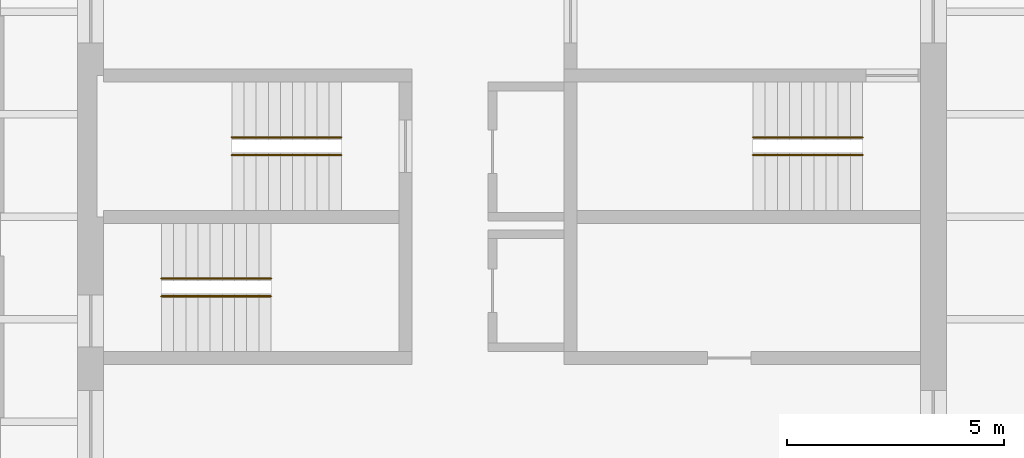
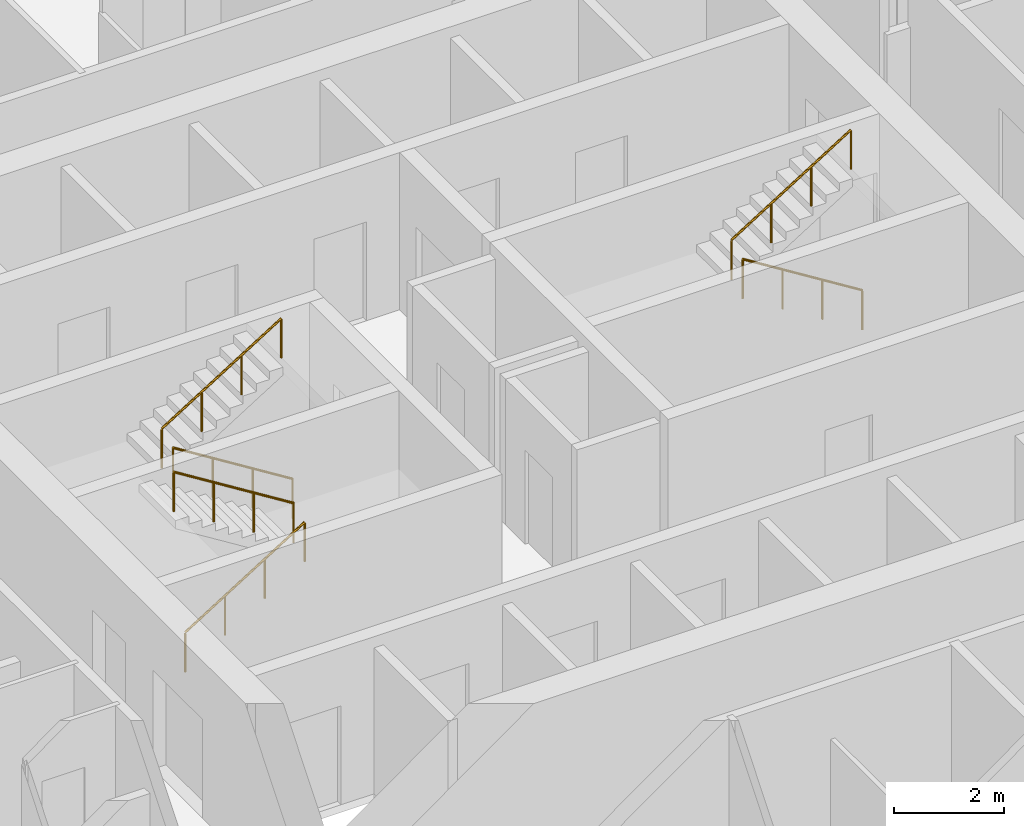
# One storey, part 8 of 8: 6 railings.
"""IFC4 building model written with IfcOpenShell, lengths in metres."""

from ifc_helpers import new_model, si_unit, direction, frame, origin, origin_2d, place, context, subcontext, project, spatial, circle, extrude, material, type_object, element, save


model = new_model("IFC4")

# Units and contexts
model_context = context("Model", 3, precision=1e-05, world=origin(), true_north=direction((0.0, 1.0)))
body_context = subcontext(model_context, "Body", "Model", "MODEL_VIEW")
ifc_project = project(units=[si_unit("LENGTHUNIT", "METRE"), si_unit("AREAUNIT", "SQUARE_METRE"), si_unit("VOLUMEUNIT", "CUBIC_METRE"), si_unit("PLANEANGLEUNIT", "RADIAN"), si_unit("MASSUNIT", "GRAM", prefix="KILO")], contexts=[model_context])

# Site, building, storey
site_placement = place(None, origin())
site = spatial("IfcSite", under=ifc_project, at=site_placement, CompositionType="ELEMENT")
building_placement = place(site_placement, origin())
building = spatial("IfcBuilding", under=site, at=building_placement, Name="Turquesa Mirador Hotel Tower", CompositionType="ELEMENT")
storey_placement = place(building_placement, frame((0.0, 0.0, 152.89990234375)))
storey = spatial("IfcBuildingStorey", under=building, at=storey_placement, Name="L41", CompositionType="ELEMENT", Elevation=152.89990234375)

# Railings
ifc_material = material(Name="Painted steel handrail", Category="steel")
railing_type = type_object("IfcRailingType", Name="HANDRAIL 900 STEEL", PredefinedType="HANDRAIL", material=ifc_material)
railing_1_placement = place(storey_placement, frame((51.070068359375, 46.419921875, 0.175048828125)))
element("IfcRailing", 1, at=railing_1_placement, inside=storey, type_object=railing_type, Name="Handrail ST1", PredefinedType="HANDRAIL", context=body_context, shape_type="SweptSolid", body=[
    extrude(circle(Radius=0.02392578125, at=origin_2d()), frame((0.0, 0.0, 0.8759765625), z_axis=(-0.848007534815, 0.0, 0.529984170421), x_axis=(0.0, -1.0, 0.0)), (0.0, 0.0, 1.0), 2.9716796875),
    extrude(circle(Radius=0.02099609375, at=origin_2d()), origin(), (0.0, 0.0, 1.0), 0.851806640625),
    extrude(circle(Radius=0.02099609375, at=origin_2d()), frame((-0.840087890625, 0.0, 0.52490234375)), (0.0, 0.0, 1.0), 0.851806640625),
    extrude(circle(Radius=0.02099609375, at=origin_2d()), frame((-1.679931640625, 0.0, 1.050048828125)), (0.0, 0.0, 1.0), 0.851806640625),
    extrude(circle(Radius=0.02099609375, at=origin_2d()), frame((-2.52001953125, 0.0, 1.574951171875)), (0.0, 0.0, 1.0), 0.851806640625),
])
for number, where, name in (
    (2, (48.550048828125, 46.830078125, 1.925048828125), "Handrail ST1"),
    (3, (46.929931640625, 43.169921875, 0.175048828125), "Handrail ST2"),
):
    element("IfcRailing", number, at=place(storey_placement, frame(where)), inside=storey, type_object=railing_type, Name=name, PredefinedType="HANDRAIL", context=body_context, shape_type="SweptSolid", body=[
        extrude(circle(Radius=0.02392578125, at=origin_2d()), frame((0.0, 0.0, 0.8759765625), z_axis=(0.848007534815, 0.0, 0.529984170421), x_axis=(0.0, 1.0, 0.0)), (0.0, 0.0, 1.0), 2.9716796875),
        extrude(circle(Radius=0.02099609375, at=origin_2d()), origin(), (0.0, 0.0, 1.0), 0.851806640625),
        extrude(circle(Radius=0.02099609375, at=origin_2d()), frame((0.840087890625, 0.0, 0.52490234375)), (0.0, 0.0, 1.0), 0.851806640625),
        extrude(circle(Radius=0.02099609375, at=origin_2d()), frame((1.679931640625, 0.0, 1.050048828125)), (0.0, 0.0, 1.0), 0.851806640625),
        extrude(circle(Radius=0.02099609375, at=origin_2d()), frame((2.52001953125, 0.0, 1.574951171875)), (0.0, 0.0, 1.0), 0.851806640625),
    ])
for number, where, name in (
    (4, (49.449951171875, 43.580078125, 1.925048828125), "Handrail ST2"),
    (5, (63.070068359375, 46.419921875, 0.175048828125), "Handrail ST3"),
):
    element("IfcRailing", number, at=place(storey_placement, frame(where)), inside=storey, type_object=railing_type, Name=name, PredefinedType="HANDRAIL", context=body_context, shape_type="SweptSolid", body=[
        extrude(circle(Radius=0.02392578125, at=origin_2d()), frame((0.0, 0.0, 0.8759765625), z_axis=(-0.848007534815, 0.0, 0.529984170421), x_axis=(0.0, -1.0, 0.0)), (0.0, 0.0, 1.0), 2.9716796875),
        extrude(circle(Radius=0.02099609375, at=origin_2d()), origin(), (0.0, 0.0, 1.0), 0.851806640625),
        extrude(circle(Radius=0.02099609375, at=origin_2d()), frame((-0.840087890625, 0.0, 0.52490234375)), (0.0, 0.0, 1.0), 0.851806640625),
        extrude(circle(Radius=0.02099609375, at=origin_2d()), frame((-1.679931640625, 0.0, 1.050048828125)), (0.0, 0.0, 1.0), 0.851806640625),
        extrude(circle(Radius=0.02099609375, at=origin_2d()), frame((-2.52001953125, 0.0, 1.574951171875)), (0.0, 0.0, 1.0), 0.851806640625),
    ])
railing_2_placement = place(storey_placement, frame((60.550048828125, 46.830078125, 1.925048828125)))
element("IfcRailing", 6, at=railing_2_placement, inside=storey, type_object=railing_type, Name="Handrail ST3", PredefinedType="HANDRAIL", context=body_context, shape_type="SweptSolid", body=[
    extrude(circle(Radius=0.02392578125, at=origin_2d()), frame((0.0, 0.0, 0.8759765625), z_axis=(0.848007534815, 0.0, 0.529984170421), x_axis=(0.0, 1.0, 0.0)), (0.0, 0.0, 1.0), 2.9716796875),
    extrude(circle(Radius=0.02099609375, at=origin_2d()), origin(), (0.0, 0.0, 1.0), 0.851806640625),
    extrude(circle(Radius=0.02099609375, at=origin_2d()), frame((0.840087890625, 0.0, 0.52490234375)), (0.0, 0.0, 1.0), 0.851806640625),
    extrude(circle(Radius=0.02099609375, at=origin_2d()), frame((1.679931640625, 0.0, 1.050048828125)), (0.0, 0.0, 1.0), 0.851806640625),
    extrude(circle(Radius=0.02099609375, at=origin_2d()), frame((2.52001953125, 0.0, 1.574951171875)), (0.0, 0.0, 1.0), 0.851806640625),
])

save(model, "model.ifc")
